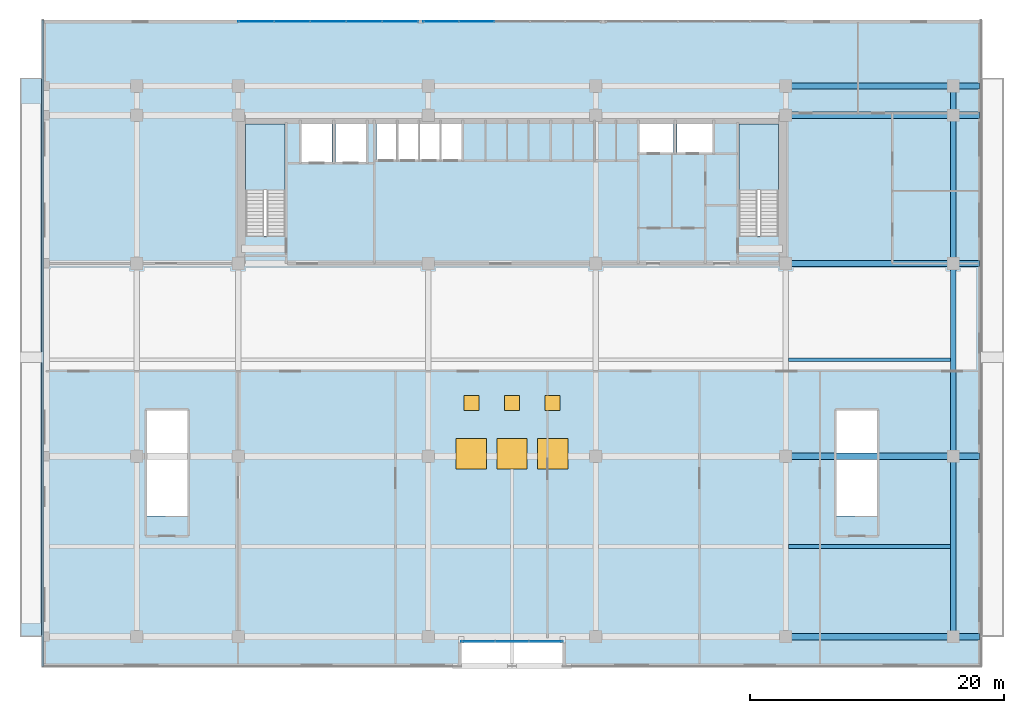
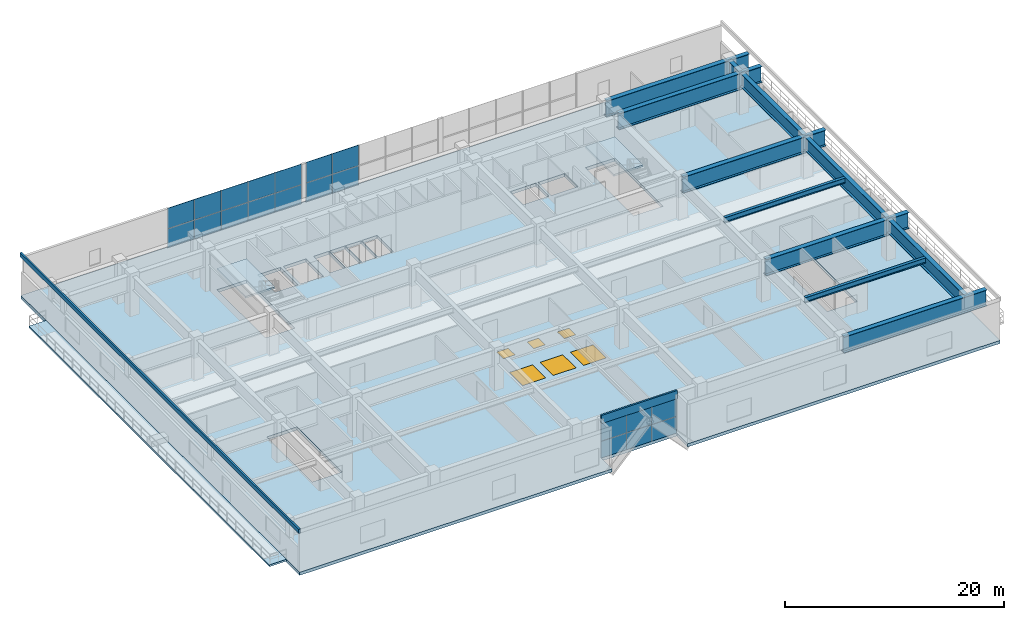
# One storey, part 8 of 17: 22 plates, 11 beams, 6 windows, 4 slabs, 6 openings, 5 elements without a shape of their own.
"""IFC4 building model written with IfcOpenShell, lengths in metres."""

import ifcopenshell
import ifcopenshell.guid

model = None  # the IFC model being written
_history = None  # IfcOwnerHistory: only IFC2X3 demands one
_inside = {}  # id of a spatial element -> (the spatial element, [elements in it])
_under = {}  # id of a project, library or spatial element -> (it, [spatial elements below it])
_declared = {}  # id of a project -> (the project, [libraries it declares])
_typed = {}  # id of a type object -> (the type object, [elements of that type])
_made_of = {}  # id of a material, layer set ... -> (it, [elements and type objects made of it])


def new_model(schema):
    """Start an empty IFC model of exactly this schema.

    Asked for "IFC4X3", IfcOpenShell would pick the latest addendum, in which some entities
    have other attributes; the version numbers below select the first issue.
    IFC2X3 requires an IfcOwnerHistory on every rooted entity: one is made here for all.
    """
    global model, _history
    if schema == "IFC4X3":
        model = ifcopenshell.file(schema_version=(4, 3, 0, 0))
    else:
        model = ifcopenshell.file(schema=schema)
    _inside.clear()
    _under.clear()
    _declared.clear()
    _typed.clear()
    _made_of.clear()
    _history = None
    if model.schema == "IFC2X3":
        org = make("IfcOrganization", Name="unknown")
        user = make(
            "IfcPersonAndOrganization",
            ThePerson=make("IfcPerson", FamilyName="unknown"),
            TheOrganization=org,
        )
        app = make(
            "IfcApplication",
            ApplicationDeveloper=org,
            Version="unknown",
            ApplicationFullName="unknown",
            ApplicationIdentifier="unknown",
        )
        _history = make(
            "IfcOwnerHistory",
            OwningUser=user,
            OwningApplication=app,
            ChangeAction="ADDED",
            CreationDate=0,
        )
    return model


def make(cls, **values):
    """One entity of the class cls with the attributes given. An attribute that is None is left unset."""
    return model.create_entity(
        cls, **{name: value for name, value in values.items() if value is not None}
    )


def rooted(cls, **values):
    """An entity with a GlobalId (a new one), such as an element, a storey or a relation."""
    return make(cls, GlobalId=ifcopenshell.guid.new(), OwnerHistory=_history, **values)


def si_unit(unit_type, name, prefix=None):
    """IfcSIUnit, for example si_unit("LENGTHUNIT", "METRE", prefix="MILLI")."""
    return make("IfcSIUnit", UnitType=unit_type, Prefix=prefix, Name=name)


def assignment(units):
    """IfcUnitAssignment: the units of a project."""
    return None if units is None else make("IfcUnitAssignment", Units=units)


def point(xyz):
    """IfcCartesianPoint."""
    return None if xyz is None else make("IfcCartesianPoint", Coordinates=xyz)


def direction(xyz):
    """IfcDirection."""
    return None if xyz is None else make("IfcDirection", DirectionRatios=xyz)


def frame(location, z_axis=None, x_axis=None):
    """IfcAxis2Placement3D, a coordinate frame: its origin and axes. An axis left out is left unset."""
    return make(
        "IfcAxis2Placement3D",
        Location=point(location),
        Axis=direction(z_axis),
        RefDirection=direction(x_axis),
    )


def frame_2d(location, x_axis=None):
    """IfcAxis2Placement2D, a coordinate frame in the plane: its origin and x axis."""
    return make(
        "IfcAxis2Placement2D", Location=point(location), RefDirection=direction(x_axis)
    )


def origin():
    """The frame at (0, 0, 0) with its axes left unset."""
    return frame((0.0, 0.0, 0.0))


def origin_2d():
    """The frame at (0, 0) in the plane with its x axis left unset."""
    return frame_2d((0.0, 0.0))


def place(relative_to, where):
    """IfcLocalPlacement: puts the frame where relative to a parent placement (None: the world)."""
    return make(
        "IfcLocalPlacement", PlacementRelTo=relative_to, RelativePlacement=where
    )


def context(
    kind, dimensions, precision=None, world=None, true_north=None, identifier=None
):
    """IfcGeometricRepresentationContext, for example the 3D "Model" context."""
    return make(
        "IfcGeometricRepresentationContext",
        ContextIdentifier=identifier,
        ContextType=kind,
        CoordinateSpaceDimension=dimensions,
        Precision=precision,
        WorldCoordinateSystem=world,
        TrueNorth=true_north,
    )


def subcontext(parent, identifier, kind, view, scale=None):
    """IfcGeometricRepresentationSubContext, for example "Body" below "Model"."""
    return make(
        "IfcGeometricRepresentationSubContext",
        ContextIdentifier=identifier,
        ContextType=kind,
        ParentContext=parent,
        TargetScale=scale,
        TargetView=view,
    )


def project(units=None, contexts=None):
    """IfcProject with its units and contexts."""
    return rooted(
        "IfcProject",
        Name="project",
        RepresentationContexts=contexts,
        UnitsInContext=assignment(units),
    )


def spatial(cls, under=None, at=None, **own):
    """A site, building, storey or space (cls), placed at a placement, below another one or the project."""
    s = rooted(cls, ObjectPlacement=at, **own)
    if under is not None:
        _under.setdefault(under.id(), (under, []))[1].append(s)
    return s


def polyline(points):
    """IfcPolyline through the points."""
    return make("IfcPolyline", Points=[point(p) for p in points])


def profile(cls, at=None, kind="AREA", **sizes):
    """A parametric profile (cls). Its sizes go by their IFC names, for example OverallWidth=200.0."""
    return make(cls, ProfileType=kind, Position=at, **sizes)


def rectangle(**sizes):
    """IfcRectangleProfileDef."""
    return profile("IfcRectangleProfileDef", **sizes)


def i_section(**sizes):
    """IfcIShapeProfileDef."""
    return profile("IfcIShapeProfileDef", **sizes)


def outline(outer, holes=None, kind="AREA"):
    """IfcArbitraryClosedProfileDef: a profile drawn as a closed curve; with holes, ...WithVoids."""
    if holes is None:
        return make("IfcArbitraryClosedProfileDef", ProfileType=kind, OuterCurve=outer)
    return make(
        "IfcArbitraryProfileDefWithVoids",
        ProfileType=kind,
        OuterCurve=outer,
        InnerCurves=holes,
    )


def extrude(swept, where, along, depth):
    """IfcExtrudedAreaSolid: the profile swept, set in the frame where, extruded along a direction by depth."""
    return make(
        "IfcExtrudedAreaSolid",
        SweptArea=swept,
        Position=where,
        ExtrudedDirection=direction(along),
        Depth=depth,
    )


def shape(context_of_items, identifier, shape_type, items):
    """IfcShapeRepresentation: the items that make up one representation, for example the "Body"."""
    return make(
        "IfcShapeRepresentation",
        ContextOfItems=context_of_items,
        RepresentationIdentifier=identifier,
        RepresentationType=shape_type,
        Items=items,
    )


def source(mapping_origin, context_of_items, identifier, shape_type, items):
    """IfcRepresentationMap: a shape defined once, which mapped items show again and again."""
    return make(
        "IfcRepresentationMap",
        MappingOrigin=mapping_origin,
        MappedRepresentation=shape(context_of_items, identifier, shape_type, items),
    )


def transform(
    local_origin,
    x_axis=None,
    y_axis=None,
    z_axis=None,
    scale=None,
    scale2=None,
    scale3=None,
    uniform=True,
):
    """IfcCartesianTransformationOperator3D, or its non-uniform kind. x_axis, y_axis, z_axis: its Axis1, 2, 3."""
    if uniform:
        return make(
            "IfcCartesianTransformationOperator3D",
            Axis1=direction(x_axis),
            Axis2=direction(y_axis),
            LocalOrigin=point(local_origin),
            Scale=scale,
            Axis3=direction(z_axis),
        )
    return make(
        "IfcCartesianTransformationOperator3DnonUniform",
        Axis1=direction(x_axis),
        Axis2=direction(y_axis),
        LocalOrigin=point(local_origin),
        Scale=scale,
        Axis3=direction(z_axis),
        Scale2=scale2,
        Scale3=scale3,
    )


def mapped(mapping_source, mapping_target):
    """IfcMappedItem: shows the shape of a source again, moved by a transform."""
    return make(
        "IfcMappedItem", MappingSource=mapping_source, MappingTarget=mapping_target
    )


def material(Name=None, Category=None):
    """IfcMaterial."""
    return make("IfcMaterial", Name=Name, Category=Category)


def layer(
    of_material, thickness, ventilated=None, Name=None, Category=None, Priority=None
):
    """IfcMaterialLayer: one layer of a wall or slab, of a material (None: an air gap)."""
    return make(
        "IfcMaterialLayer",
        Material=of_material,
        LayerThickness=thickness,
        IsVentilated=ventilated,
        Name=Name,
        Category=Category,
        Priority=Priority,
    )


def layer_set(layers, Name=None):
    """IfcMaterialLayerSet."""
    return make("IfcMaterialLayerSet", MaterialLayers=layers, LayerSetName=Name)


def material_profile(
    of_material, cross_section, Name=None, Category=None, Priority=None
):
    """IfcMaterialProfile: a cross section and its material."""
    return make(
        "IfcMaterialProfile",
        Name=Name,
        Material=of_material,
        Profile=cross_section,
        Priority=Priority,
        Category=Category,
    )


def profile_set(profiles, Name=None, composite=None):
    """IfcMaterialProfileSet."""
    return make(
        "IfcMaterialProfileSet",
        Name=Name,
        MaterialProfiles=profiles,
        CompositeProfile=composite,
    )


def made_of(thing, what):
    """Note that an element or type object is made of a material, layer set ...; save() writes the relation."""
    if what is not None:
        _made_of.setdefault(what.id(), (what, []))[1].append(thing)
    return thing


def type_object(cls, material=None, **own):
    """A type object (cls), such as IfcWallType, which elements share."""
    return made_of(rooted(cls, **own), material)


def element(
    cls,
    number,
    at=None,
    inside=None,
    cuts=None,
    type_object=None,
    material=None,
    context=None,
    identifier="Body",
    shape_type=None,
    held_by="IfcProductDefinitionShape",
    body=None,
    shapes=None,
    **own,
):
    """One element of the class cls, such as IfcWall. Its Tag is "e" and its number.

    at: its placement. inside: the storey or other place that contains it. cuts: it is an
    opening in that element (IfcRelVoidsElement). A single representation is given by context,
    identifier, shape_type and body (its items); several are given by shapes. held_by: the class
    of the entity that holds the representations. save() writes the other relations.
    """
    e = rooted(cls, Tag="e%d" % number, ObjectPlacement=at, **own)
    if body is not None:
        shapes = [shape(context, identifier, shape_type, body)]
    if shapes is not None:
        e.Representation = make(held_by, Representations=shapes)
    if inside is not None:
        _inside.setdefault(inside.id(), (inside, []))[1].append(e)
    if cuts is not None:
        rooted(
            "IfcRelVoidsElement", RelatingBuildingElement=cuts, RelatedOpeningElement=e
        )
    if type_object is not None:
        _typed.setdefault(type_object.id(), (type_object, []))[1].append(e)
    return made_of(e, material)


def fill(opening, filler):
    """IfcRelFillsElement: the door or window that sits in an opening."""
    return rooted(
        "IfcRelFillsElement",
        RelatingOpeningElement=opening,
        RelatedBuildingElement=filler,
    )


def aggregate(whole, parts):
    """IfcRelAggregates: a whole, such as a stair, and the parts it consists of."""
    return rooted("IfcRelAggregates", RelatingObject=whole, RelatedObjects=parts)


def save(model, path):
    """Write the relations noted so far, then the file.

    IfcRelAggregates (storeys below a building ...), IfcRelContainedInSpatialStructure (elements
    in a storey), IfcRelDefinesByType, IfcRelAssociatesMaterial and IfcRelDeclares: one each for
    every whole, place, type object, material and project.
    """
    for whole, parts in _under.values():
        aggregate(whole, parts)
    for where, things in _inside.values():
        rooted(
            "IfcRelContainedInSpatialStructure",
            RelatedElements=things,
            RelatingStructure=where,
        )
    for kind, things in _typed.values():
        rooted("IfcRelDefinesByType", RelatedObjects=things, RelatingType=kind)
    for what, things in _made_of.values():
        rooted("IfcRelAssociatesMaterial", RelatedObjects=things, RelatingMaterial=what)
    for by, libraries in _declared.values():
        rooted("IfcRelDeclares", RelatingContext=by, RelatedDefinitions=libraries)
    model.write(path)


model = new_model("IFC4")

# Units and contexts
model_context = context("Model", 3, precision=1e-05, world=origin(), true_north=direction((0.0, 1.0)))
body_context = subcontext(model_context, "Body", "Model", "MODEL_VIEW")
ifc_project = project(units=[si_unit("LENGTHUNIT", "METRE"), si_unit("AREAUNIT", "SQUARE_METRE"), si_unit("VOLUMEUNIT", "CUBIC_METRE"), si_unit("PLANEANGLEUNIT", "RADIAN"), si_unit("MASSUNIT", "GRAM", prefix="KILO")], contexts=[model_context])

# Site, building, storey
site_placement = place(None, origin())
site = spatial("IfcSite", under=ifc_project, at=site_placement, CompositionType="ELEMENT")
building_placement = place(site_placement, origin())
building = spatial("IfcBuilding", under=site, at=building_placement, Name="Trelvane Seafront Commons", CompositionType="ELEMENT")
storey_placement = place(building_placement, frame((0.0, 0.0, 18.699951171875)))
storey = spatial("IfcBuildingStorey", under=building, at=storey_placement, Name="L04", CompositionType="ELEMENT", Elevation=18.699951171875)

# Beams
ifc_material_1 = material(Name="Steel SM355 (S355)", Category="steel")
ifc_material_profile_1 = material_profile(ifc_material_1, i_section(OverallWidth=0.5, OverallDepth=1.800048828125, WebThickness=0.02392578125, FlangeThickness=0.0400390625, at=origin_2d()), Name="W-1800x500x24x40")
ifc_profile_set_1 = profile_set([ifc_material_profile_1], Name="Steel SM355 (S355)")
beam_type_1 = type_object("IfcBeamType", Name="STR-TRG-W1800", PredefinedType="BEAM", material=ifc_profile_set_1)
shared_shape_1 = source(origin(), body_context, "Body", "SweptSolid", [
    extrude(i_section(OverallWidth=0.5, OverallDepth=1.800048828125, WebThickness=0.02392578125, FlangeThickness=0.0400390625, at=origin_2d()), origin(), (0.0, 0.0, 1.0), 15.10009765625),
])
for number, where, z_axis, x_axis, name in (
    (1, (58.949951171875, 3.949951171875, 3.52001953125), (1.0, 0.0, 0.0), (0.0, 1.0, 0.0), "L04 Transfer Girder TG-06"),
    (2, (58.949951171875, 18.199951171875, 3.52001953125), (1.0, 0.0, 0.0), (0.0, 1.0, 0.0), "L04 Transfer Girder TG-12"),
    (3, (58.949951171875, 33.39990234375, 3.52001953125), (1.0, 0.0, 0.0), (0.0, 1.0, 0.0), "L04 Transfer Girder TG-18"),
    (4, (58.949951171875, 45.10009765625, 3.52001953125), (1.0, 0.0, 0.0), (0.0, 1.0, 0.0), "L04 Transfer Girder TG-24"),
    (5, (58.949951171875, 47.39990234375, 3.52001953125), (1.0, 0.0, 0.0), (0.0, 1.0, 0.0), "L04 Transfer Girder TG-30"),
):
    element("IfcBeam", number, at=place(storey_placement, frame(where, z_axis=z_axis, x_axis=x_axis)), inside=storey, type_object=beam_type_1, Name=name, PredefinedType="BEAM", context=body_context, shape_type="MappedRepresentation", body=[
        mapped(shared_shape_1, transform((0.0, 0.0, 0.0), x_axis=(1.0, 0.0, 0.0), y_axis=(0.0, 1.0, 0.0), z_axis=(0.0, 0.0, 1.0), scale=1.0)),
    ])
ifc_material_profile_2 = material_profile(ifc_material_1, i_section(OverallWidth=0.449951171875, OverallDepth=1.5, WebThickness=0.02197265625, FlangeThickness=0.0380859375, at=origin_2d()), Name="W-1500x450x22x38")
ifc_profile_set_2 = profile_set([ifc_material_profile_2], Name="Steel SM355 (S355)")
beam_type_2 = type_object("IfcBeamType", Name="STR-TRG-W1500", PredefinedType="BEAM", material=ifc_profile_set_2)
shared_shape_2 = source(origin(), body_context, "Body", "SweptSolid", [
    extrude(i_section(OverallWidth=0.449951171875, OverallDepth=1.5, WebThickness=0.02197265625, FlangeThickness=0.0380859375, at=origin_2d()), origin(), (0.0, 0.0, 1.0), 13.949951171875),
])
beam_1_placement = place(storey_placement, frame((72.0, 4.10009765625, 3.670166015625), z_axis=(0.0, 1.0, 0.0), x_axis=(-1.0, 0.0, 0.0)))
element("IfcBeam", 6, at=beam_1_placement, inside=storey, type_object=beam_type_2, Name="L04 Transfer Girder TG-55", PredefinedType="BEAM", context=body_context, shape_type="MappedRepresentation", body=[
    mapped(shared_shape_2, transform((0.0, 0.0, 0.0), x_axis=(1.0, 0.0, 0.0), y_axis=(0.0, 1.0, 0.0), z_axis=(0.0, 0.0, 1.0), scale=1.0)),
])
shared_shape_3 = source(origin(), body_context, "Body", "SweptSolid", [
    extrude(i_section(OverallWidth=0.449951171875, OverallDepth=1.5, WebThickness=0.02197265625, FlangeThickness=0.0380859375, at=origin_2d()), origin(), (0.0, 0.0, 1.0), 14.89990234375),
])
beam_2_placement = place(storey_placement, frame((72.0, 18.35009765625, 3.670166015625), z_axis=(0.0, 1.0, 0.0), x_axis=(-1.0, 0.0, 0.0)))
element("IfcBeam", 7, at=beam_2_placement, inside=storey, type_object=beam_type_2, Name="L04 Transfer Girder TG-56", PredefinedType="BEAM", context=body_context, shape_type="MappedRepresentation", body=[
    mapped(shared_shape_3, transform((0.0, 0.0, 0.0), x_axis=(1.0, 0.0, 0.0), y_axis=(0.0, 1.0, 0.0), z_axis=(0.0, 0.0, 1.0), scale=1.0)),
])
shared_shape_4 = source(origin(), body_context, "Body", "SweptSolid", [
    extrude(i_section(OverallWidth=0.449951171875, OverallDepth=1.5, WebThickness=0.02197265625, FlangeThickness=0.0380859375, at=origin_2d()), origin(), (0.0, 0.0, 1.0), 11.39990234375),
])
beam_3_placement = place(storey_placement, frame((72.0, 33.550048828125, 3.670166015625), z_axis=(0.0, 1.0, 0.0), x_axis=(-1.0, 0.0, 0.0)))
element("IfcBeam", 8, at=beam_3_placement, inside=storey, type_object=beam_type_2, Name="L04 Transfer Girder TG-57", PredefinedType="BEAM", context=body_context, shape_type="MappedRepresentation", body=[
    mapped(shared_shape_4, transform((0.0, 0.0, 0.0), x_axis=(1.0, 0.0, 0.0), y_axis=(0.0, 1.0, 0.0), z_axis=(0.0, 0.0, 1.0), scale=1.0)),
])
shared_shape_5 = source(origin(), body_context, "Body", "SweptSolid", [
    extrude(i_section(OverallWidth=0.449951171875, OverallDepth=1.5, WebThickness=0.02197265625, FlangeThickness=0.0380859375, at=origin_2d()), origin(), (0.0, 0.0, 1.0), 2.0),
])
beam_4_placement = place(storey_placement, frame((72.0, 45.25, 3.670166015625), z_axis=(0.0, 1.0, 0.0), x_axis=(-1.0, 0.0, 0.0)))
element("IfcBeam", 9, at=beam_4_placement, inside=storey, type_object=beam_type_2, Name="L04 Transfer Girder TG-58", PredefinedType="BEAM", context=body_context, shape_type="MappedRepresentation", body=[
    mapped(shared_shape_5, transform((0.0, 0.0, 0.0), x_axis=(1.0, 0.0, 0.0), y_axis=(0.0, 1.0, 0.0), z_axis=(0.0, 0.0, 1.0), scale=1.0)),
])
ifc_material_profile_3 = material_profile(ifc_material_1, i_section(OverallWidth=0.300048828125, OverallDepth=0.587890625, WebThickness=0.011962890625, FlangeThickness=0.02001953125, at=origin_2d()), Name="H-588x300x12x20")
ifc_profile_set_3 = profile_set([ifc_material_profile_3], Name="Steel SM355 (S355)")
beam_type_3 = type_object("IfcBeamType", Name="STR-BM-H588", PredefinedType="BEAM", material=ifc_profile_set_3)
shared_shape_6 = source(origin(), body_context, "Body", "SweptSolid", [
    extrude(i_section(OverallWidth=0.300048828125, OverallDepth=0.587890625, WebThickness=0.011962890625, FlangeThickness=0.02001953125, at=origin_2d()), origin(), (0.0, 0.0, 1.0), 12.75),
])
for number, where, z_axis, x_axis, name in (
    (10, (59.02490234375, 11.074951171875, 4.1259765625), (1.0, 0.0, 0.0), (0.0, 1.0, 0.0), "L04 Secondary Floor Joist B-64"),
    (11, (59.02490234375, 25.800048828125, 4.1259765625), (1.0, 0.0, 0.0), (0.0, 1.0, 0.0), "L04 Secondary Floor Joist B-70"),
):
    element("IfcBeam", number, at=place(storey_placement, frame(where, z_axis=z_axis, x_axis=x_axis)), inside=storey, type_object=beam_type_3, Name=name, PredefinedType="BEAM", context=body_context, shape_type="MappedRepresentation", body=[
        mapped(shared_shape_6, transform((0.0, 0.0, 0.0), x_axis=(1.0, 0.0, 0.0), y_axis=(0.0, 1.0, 0.0), z_axis=(0.0, 0.0, 1.0), scale=1.0)),
    ])

# Stair, slab
ifc_material_2 = material(Name="Concrete C40/50", Category="concrete")
stair_type_1 = type_object("IfcStairType", Name="ARCH-STR-ST-1-R28-171", PredefinedType="HALF_TURN_STAIR", material=ifc_material_2)
stair_1_placement = place(storey_placement, origin())
stair_1 = element("IfcStair", 12, at=stair_1_placement, inside=storey, type_object=stair_type_1, Name="L04 West Protected Firefighting Exit Stair ST-1", PredefinedType="HALF_TURN_STAIR")
ifc_layer_1 = layer(ifc_material_2, 0.199951171875, Name="ARCH-LND-200")
ifc_layer_set_1 = layer_set([ifc_layer_1], Name="Concrete C40/50")
slab_type_1 = type_object("IfcSlabType", Name="ARCH-LND-200", PredefinedType="LANDING", material=ifc_layer_set_1)
slab_1_placement = place(storey_placement, frame((0.0, 0.0, 2.199951171875)))
slab_1 = element("IfcSlab", 13, at=slab_1_placement, type_object=slab_type_1, Name="ST-1 landing 1", PredefinedType="LANDING", context=body_context, shape_type="SweptSolid", body=[
    extrude(outline(polyline([(19.300048828125, 39.18994140625), (19.300048828125, 44.39990234375), (16.199951171875, 44.39990234375), (16.199951171875, 39.18994140625), (19.300048828125, 39.18994140625)])), origin(), (0.0, 0.0, 1.0), 0.2001953125),
])
aggregate(stair_1, [slab_1])

stair_type_2 = type_object("IfcStairType", Name="ARCH-STR-ST-2-R28-171", PredefinedType="HALF_TURN_STAIR", material=ifc_material_2)
stair_2_placement = place(storey_placement, origin())
stair_2 = element("IfcStair", 14, at=stair_2_placement, inside=storey, type_object=stair_type_2, Name="L04 East Protected Firefighting Exit Stair ST-2", PredefinedType="HALF_TURN_STAIR")
slab_2_placement = place(storey_placement, frame((0.0, 0.0, 2.199951171875)))
slab_2 = element("IfcSlab", 15, at=slab_2_placement, type_object=slab_type_1, Name="ST-2 landing 1", PredefinedType="LANDING", context=body_context, shape_type="SweptSolid", body=[
    extrude(outline(polyline([(58.199951171875, 39.18994140625), (58.199951171875, 44.39990234375), (55.10009765625, 44.39990234375), (55.10009765625, 39.18994140625), (58.199951171875, 39.18994140625)])), origin(), (0.0, 0.0, 1.0), 0.2001953125),
])
aggregate(stair_2, [slab_2])

# Slab
ifc_layer_2 = layer(ifc_material_2, 0.2099609375, Name="ARCH-TERR-210")
ifc_layer_set_2 = layer_set([ifc_layer_2], Name="Concrete C40/50")
slab_type_2 = type_object("IfcSlabType", Name="ARCH-TERR-210", PredefinedType="FLOOR", material=ifc_layer_set_2)
slab_3_placement = place(storey_placement, frame((0.0, 0.0, -0.2099609375)))
element("IfcSlab", 16, at=slab_3_placement, inside=storey, type_object=slab_type_2, Name="L04 Podium W Planted Roof Terrace Deck", PredefinedType="FLOOR", context=body_context, shape_type="SweptSolid", body=[
    extrude(outline(polyline([(-1.60009765625, 4.0), (0.199951171875, 4.0), (0.199951171875, 48.0), (-1.60009765625, 48.0), (-1.60009765625, 4.0)])), origin(), (0.0, 0.0, 1.0), 0.2099609375),
])

# Slab, openings, windows
ifc_material_3 = material(Name="Concrete C60/75", Category="concrete")
ifc_layer_3 = layer(ifc_material_3, 0.35009765625, Name="STR-SLB-P350")
ifc_layer_set_3 = layer_set([ifc_layer_3], Name="Concrete C60/75")
slab_type_3 = type_object("IfcSlabType", Name="STR-SLB-P350", PredefinedType="FLOOR", material=ifc_layer_set_3)
slab_4_placement = place(storey_placement, frame((0.0, 0.0, -0.349853515625)))
slab_4 = element("IfcSlab", 17, at=slab_4_placement, inside=storey, type_object=slab_type_3, Name="L04 Structural Floor Slab", PredefinedType="FLOOR", context=body_context, shape_type="SweptSolid", body=[
    extrude(outline(polyline([(0.199951171875, 1.60009765625), (33.199951171875, 1.60009765625), (33.199951171875, 3.60009765625), (41.199951171875, 3.60009765625), (41.199951171875, 1.60009765625), (74.199951171875, 1.60009765625), (74.199951171875, 52.60009765625), (0.199951171875, 52.60009765625), (0.199951171875, 1.60009765625)]), holes=[polyline([(11.60009765625, 13.5), (8.39990234375, 13.5), (8.39990234375, 21.800048828125), (11.60009765625, 21.800048828125), (11.60009765625, 13.5)]), polyline([(16.199951171875, 35.550048828125), (16.199951171875, 44.39990234375), (19.300048828125, 44.39990234375), (19.300048828125, 35.550048828125), (16.199951171875, 35.550048828125)]), polyline([(20.60009765625, 41.39990234375), (20.60009765625, 44.60009765625), (23.0, 44.60009765625), (23.0, 41.39990234375), (20.60009765625, 41.39990234375)]), polyline([(25.699951171875, 41.39990234375), (23.300048828125, 41.39990234375), (23.300048828125, 44.60009765625), (25.699951171875, 44.60009765625), (25.699951171875, 41.39990234375)]), polyline([(26.5, 41.60009765625), (26.5, 44.60009765625), (28.1201171875, 44.60009765625), (28.1201171875, 41.60009765625), (26.5, 41.60009765625)]), polyline([(28.199951171875, 41.60009765625), (28.199951171875, 44.60009765625), (29.820068359375, 44.60009765625), (29.820068359375, 41.60009765625), (28.199951171875, 41.60009765625)]), polyline([(66.0, 13.5), (62.800048828125, 13.5), (62.800048828125, 21.800048828125), (66.0, 21.800048828125), (66.0, 13.5)]), polyline([(55.10009765625, 35.550048828125), (55.10009765625, 44.39990234375), (58.199951171875, 44.39990234375), (58.199951171875, 35.550048828125), (55.10009765625, 35.550048828125)]), polyline([(29.89990234375, 41.60009765625), (29.89990234375, 44.60009765625), (31.52001953125, 44.60009765625), (31.52001953125, 41.60009765625), (29.89990234375, 41.60009765625)]), polyline([(33.219970703125, 41.60009765625), (31.60009765625, 41.60009765625), (31.60009765625, 44.60009765625), (33.219970703125, 44.60009765625), (33.219970703125, 41.60009765625)]), polyline([(47.25, 42.14990234375), (47.25, 44.550048828125), (49.949951171875, 44.550048828125), (49.949951171875, 42.14990234375), (47.25, 42.14990234375)]), polyline([(50.199951171875, 42.14990234375), (50.199951171875, 44.550048828125), (53.0, 44.550048828125), (53.0, 42.14990234375), (50.199951171875, 42.14990234375)])]), origin(), (0.0, 0.0, 1.0), 0.349853515625),
])
opening_1_placement = place(slab_4_placement, frame((34.0, 18.39990234375, 0.0)))
opening_1 = element("IfcOpeningElement", 18, at=opening_1_placement, cuts=slab_4, Name="Opening SK1", PredefinedType="OPENING", context=body_context, shape_type="SweptSolid", body=[
    extrude(rectangle(XDim=2.39990234375, YDim=2.39990234375, at=origin_2d()), frame((0.0, 0.0, -0.010009765625)), (0.0, 0.0, 1.0), 0.369873046875),
])
opening_2_placement = place(slab_4_placement, frame((37.199951171875, 18.39990234375, 0.0)))
opening_2 = element("IfcOpeningElement", 19, at=opening_2_placement, cuts=slab_4, Name="Opening SK1", PredefinedType="OPENING", context=body_context, shape_type="SweptSolid", body=[
    extrude(rectangle(XDim=2.39990234375, YDim=2.39990234375, at=origin_2d()), frame((0.0, 0.0, -0.010009765625)), (0.0, 0.0, 1.0), 0.369873046875),
])
opening_3_placement = place(slab_4_placement, frame((40.39990234375, 18.39990234375, 0.0)))
opening_3 = element("IfcOpeningElement", 20, at=opening_3_placement, cuts=slab_4, Name="Opening SK1", PredefinedType="OPENING", context=body_context, shape_type="SweptSolid", body=[
    extrude(rectangle(XDim=2.39990234375, YDim=2.39990234375, at=origin_2d()), frame((0.0, 0.0, -0.010009765625)), (0.0, 0.0, 1.0), 0.369873046875),
])
opening_4_placement = place(slab_4_placement, frame((34.0, 22.39990234375, 0.0)))
opening_4 = element("IfcOpeningElement", 21, at=opening_4_placement, cuts=slab_4, Name="Opening SK2", PredefinedType="OPENING", context=body_context, shape_type="SweptSolid", body=[
    extrude(rectangle(XDim=1.199951171875, YDim=1.199951171875, at=origin_2d()), frame((0.0, 0.0, -0.010009765625)), (0.0, 0.0, 1.0), 0.369873046875),
])
opening_5_placement = place(slab_4_placement, frame((37.199951171875, 22.39990234375, 0.0)))
opening_5 = element("IfcOpeningElement", 22, at=opening_5_placement, cuts=slab_4, Name="Opening SK2", PredefinedType="OPENING", context=body_context, shape_type="SweptSolid", body=[
    extrude(rectangle(XDim=1.199951171875, YDim=1.199951171875, at=origin_2d()), frame((0.0, 0.0, -0.010009765625)), (0.0, 0.0, 1.0), 0.369873046875),
])
opening_6_placement = place(slab_4_placement, frame((40.39990234375, 22.39990234375, 0.0)))
opening_6 = element("IfcOpeningElement", 23, at=opening_6_placement, cuts=slab_4, Name="Opening SK2", PredefinedType="OPENING", context=body_context, shape_type="SweptSolid", body=[
    extrude(rectangle(XDim=1.199951171875, YDim=1.199951171875, at=origin_2d()), frame((0.0, 0.0, -0.010009765625)), (0.0, 0.0, 1.0), 0.369873046875),
])
ifc_material_4 = material(Name="Low-E coastal double glazing", Category="glass")
window_type_1 = type_object("IfcWindowType", Name="ARCH-SKY-S01", PartitioningType="SINGLE_PANEL", PredefinedType="SKYLIGHT", material=ifc_material_4)
window_1_placement = place(opening_1_placement, frame((0.0, 0.0, 0.2998046875)))
window_1 = element("IfcWindow", 24, at=window_1_placement, inside=storey, type_object=window_type_1, Name="SKY-ATR-01", OverallHeight=2.39990234375, OverallWidth=2.39990234375, PartitioningType="SINGLE_PANEL", PredefinedType="SKYLIGHT", context=body_context, shape_type="SweptSolid", body=[
    extrude(rectangle(XDim=2.39990234375, YDim=2.39990234375, at=origin_2d()), origin(), (0.0, 0.0, 1.0), 0.050048828125),
])
fill(opening_1, window_1)
window_2_placement = place(opening_2_placement, frame((0.0, 0.0, 0.2998046875)))
window_2 = element("IfcWindow", 25, at=window_2_placement, inside=storey, type_object=window_type_1, Name="SKY-ATR-02", OverallHeight=2.39990234375, OverallWidth=2.39990234375, PartitioningType="SINGLE_PANEL", PredefinedType="SKYLIGHT", context=body_context, shape_type="SweptSolid", body=[
    extrude(rectangle(XDim=2.39990234375, YDim=2.39990234375, at=origin_2d()), origin(), (0.0, 0.0, 1.0), 0.050048828125),
])
fill(opening_2, window_2)
window_3_placement = place(opening_3_placement, frame((0.0, 0.0, 0.2998046875)))
window_3 = element("IfcWindow", 26, at=window_3_placement, inside=storey, type_object=window_type_1, Name="SKY-ATR-03", OverallHeight=2.39990234375, OverallWidth=2.39990234375, PartitioningType="SINGLE_PANEL", PredefinedType="SKYLIGHT", context=body_context, shape_type="SweptSolid", body=[
    extrude(rectangle(XDim=2.39990234375, YDim=2.39990234375, at=origin_2d()), origin(), (0.0, 0.0, 1.0), 0.050048828125),
])
fill(opening_3, window_3)
window_type_2 = type_object("IfcWindowType", Name="ARCH-SKY-S02", PartitioningType="SINGLE_PANEL", PredefinedType="SKYLIGHT", material=ifc_material_4)
window_4_placement = place(opening_4_placement, frame((0.0, 0.0, 0.2998046875)))
window_4 = element("IfcWindow", 27, at=window_4_placement, inside=storey, type_object=window_type_2, Name="SKY-ATR-04", OverallHeight=1.199951171875, OverallWidth=1.199951171875, PartitioningType="SINGLE_PANEL", PredefinedType="SKYLIGHT", context=body_context, shape_type="SweptSolid", body=[
    extrude(rectangle(XDim=1.199951171875, YDim=1.199951171875, at=origin_2d()), origin(), (0.0, 0.0, 1.0), 0.050048828125),
])
fill(opening_4, window_4)
window_5_placement = place(opening_5_placement, frame((0.0, 0.0, 0.2998046875)))
window_5 = element("IfcWindow", 28, at=window_5_placement, inside=storey, type_object=window_type_2, Name="SKY-ATR-05", OverallHeight=1.199951171875, OverallWidth=1.199951171875, PartitioningType="SINGLE_PANEL", PredefinedType="SKYLIGHT", context=body_context, shape_type="SweptSolid", body=[
    extrude(rectangle(XDim=1.199951171875, YDim=1.199951171875, at=origin_2d()), origin(), (0.0, 0.0, 1.0), 0.050048828125),
])
fill(opening_5, window_5)
window_6_placement = place(opening_6_placement, frame((0.0, 0.0, 0.2998046875)))
window_6 = element("IfcWindow", 29, at=window_6_placement, inside=storey, type_object=window_type_2, Name="SKY-ATR-06", OverallHeight=1.199951171875, OverallWidth=1.199951171875, PartitioningType="SINGLE_PANEL", PredefinedType="SKYLIGHT", context=body_context, shape_type="SweptSolid", body=[
    extrude(rectangle(XDim=1.199951171875, YDim=1.199951171875, at=origin_2d()), origin(), (0.0, 0.0, 1.0), 0.050048828125),
])
fill(opening_6, window_6)

# Curtain wall, plates
ifc_material_5 = material(Name="Anodised pale-silver aluminium", Category="aluminium")
curtain_wall_type = type_object("IfcCurtainWallType", Name="ARCH-CW1-PODIUM", PredefinedType="NOTDEFINED", material=ifc_material_5)
curtain_wall_1_placement = place(storey_placement, origin())
curtain_wall_1 = element("IfcCurtainWall", 30, at=curtain_wall_1_placement, inside=storey, type_object=curtain_wall_type, Name="CW-L04-0025", PredefinedType="NOTDEFINED")
ifc_layer_4 = layer(ifc_material_4, 0.033935546875, Name="ARCH-CW-GLAZ-34")
ifc_layer_set_4 = layer_set([ifc_layer_4], Name="Low-E coastal double glazing")
plate_type_1 = type_object("IfcPlateType", Name="ARCH-CW-GLAZ-34", PredefinedType="CURTAIN_PANEL", material=ifc_layer_set_4)
shared_shape_7 = source(origin(), body_context, "Body", "SweptSolid", [
    extrude(rectangle(XDim=2.81591796875, YDim=0.035888671875, at=origin_2d()), origin(), (0.0, 0.0, 1.0), 2.10400390625),
])
plate_1_placement = place(storey_placement, frame((17.02001953125, 52.469970703125, 0.0), z_axis=(0.0, 0.0, 1.0), x_axis=(1.0, 0.0, 0.0)))
plate_1 = element("IfcPlate", 31, at=plate_1_placement, type_object=plate_type_1, Name="CW-L04-0025-P00-1", PredefinedType="CURTAIN_PANEL", context=body_context, shape_type="MappedRepresentation", body=[
    mapped(shared_shape_7, transform((0.0, 0.0, 0.0), x_axis=(1.0, 0.0, 0.0), y_axis=(0.0, 1.0, 0.0), z_axis=(0.0, 0.0, 1.0), scale=1.0)),
])
plate_2_placement = place(storey_placement, frame((19.860107421875, 52.469970703125, 0.0), z_axis=(0.0, 0.0, 1.0), x_axis=(1.0, 0.0, 0.0)))
plate_2 = element("IfcPlate", 32, at=plate_2_placement, type_object=plate_type_1, Name="CW-L04-0025-P01-1", PredefinedType="CURTAIN_PANEL", context=body_context, shape_type="MappedRepresentation", body=[
    mapped(shared_shape_7, transform((0.0, 0.0, 0.0), x_axis=(1.0, 0.0, 0.0), y_axis=(0.0, 1.0, 0.0), z_axis=(0.0, 0.0, 1.0), scale=1.0)),
])
plate_3_placement = place(storey_placement, frame((22.699951171875, 52.469970703125, 0.0), z_axis=(0.0, 0.0, 1.0), x_axis=(1.0, 0.0, 0.0)))
plate_3 = element("IfcPlate", 33, at=plate_3_placement, type_object=plate_type_1, Name="CW-L04-0025-P02-1", PredefinedType="CURTAIN_PANEL", context=body_context, shape_type="MappedRepresentation", body=[
    mapped(shared_shape_7, transform((0.0, 0.0, 0.0), x_axis=(1.0, 0.0, 0.0), y_axis=(0.0, 1.0, 0.0), z_axis=(0.0, 0.0, 1.0), scale=1.0)),
])
plate_4_placement = place(storey_placement, frame((25.5400390625, 52.469970703125, 0.0), z_axis=(0.0, 0.0, 1.0), x_axis=(1.0, 0.0, 0.0)))
plate_4 = element("IfcPlate", 34, at=plate_4_placement, type_object=plate_type_1, Name="CW-L04-0025-P03-1", PredefinedType="CURTAIN_PANEL", context=body_context, shape_type="MappedRepresentation", body=[
    mapped(shared_shape_7, transform((0.0, 0.0, 0.0), x_axis=(1.0, 0.0, 0.0), y_axis=(0.0, 1.0, 0.0), z_axis=(0.0, 0.0, 1.0), scale=1.0)),
])
plate_5_placement = place(storey_placement, frame((28.3798828125, 52.469970703125, 0.0), z_axis=(0.0, 0.0, 1.0), x_axis=(1.0, 0.0, 0.0)))
plate_5 = element("IfcPlate", 35, at=plate_5_placement, type_object=plate_type_1, Name="CW-L04-0025-P04-1", PredefinedType="CURTAIN_PANEL", context=body_context, shape_type="MappedRepresentation", body=[
    mapped(shared_shape_7, transform((0.0, 0.0, 0.0), x_axis=(1.0, 0.0, 0.0), y_axis=(0.0, 1.0, 0.0), z_axis=(0.0, 0.0, 1.0), scale=1.0)),
])
shared_shape_8 = source(origin(), body_context, "Body", "SweptSolid", [
    extrude(rectangle(XDim=2.81591796875, YDim=0.035888671875, at=origin_2d()), origin(), (0.0, 0.0, 1.0), 2.280029296875),
])
plate_6_placement = place(storey_placement, frame((17.02001953125, 52.469970703125, 2.14013671875), z_axis=(0.0, 0.0, 1.0), x_axis=(1.0, 0.0, 0.0)))
plate_6 = element("IfcPlate", 36, at=plate_6_placement, type_object=plate_type_1, Name="CW-L04-0025-P00-2", PredefinedType="CURTAIN_PANEL", context=body_context, shape_type="MappedRepresentation", body=[
    mapped(shared_shape_8, transform((0.0, 0.0, 0.0), x_axis=(1.0, 0.0, 0.0), y_axis=(0.0, 1.0, 0.0), z_axis=(0.0, 0.0, 1.0), scale=1.0)),
])
plate_7_placement = place(storey_placement, frame((19.860107421875, 52.469970703125, 2.14013671875), z_axis=(0.0, 0.0, 1.0), x_axis=(1.0, 0.0, 0.0)))
plate_7 = element("IfcPlate", 37, at=plate_7_placement, type_object=plate_type_1, Name="CW-L04-0025-P01-2", PredefinedType="CURTAIN_PANEL", context=body_context, shape_type="MappedRepresentation", body=[
    mapped(shared_shape_8, transform((0.0, 0.0, 0.0), x_axis=(1.0, 0.0, 0.0), y_axis=(0.0, 1.0, 0.0), z_axis=(0.0, 0.0, 1.0), scale=1.0)),
])
plate_8_placement = place(storey_placement, frame((22.699951171875, 52.469970703125, 2.14013671875), z_axis=(0.0, 0.0, 1.0), x_axis=(1.0, 0.0, 0.0)))
plate_8 = element("IfcPlate", 38, at=plate_8_placement, type_object=plate_type_1, Name="CW-L04-0025-P02-2", PredefinedType="CURTAIN_PANEL", context=body_context, shape_type="MappedRepresentation", body=[
    mapped(shared_shape_8, transform((0.0, 0.0, 0.0), x_axis=(1.0, 0.0, 0.0), y_axis=(0.0, 1.0, 0.0), z_axis=(0.0, 0.0, 1.0), scale=1.0)),
])
plate_9_placement = place(storey_placement, frame((25.5400390625, 52.469970703125, 2.14013671875), z_axis=(0.0, 0.0, 1.0), x_axis=(1.0, 0.0, 0.0)))
plate_9 = element("IfcPlate", 39, at=plate_9_placement, type_object=plate_type_1, Name="CW-L04-0025-P03-2", PredefinedType="CURTAIN_PANEL", context=body_context, shape_type="MappedRepresentation", body=[
    mapped(shared_shape_8, transform((0.0, 0.0, 0.0), x_axis=(1.0, 0.0, 0.0), y_axis=(0.0, 1.0, 0.0), z_axis=(0.0, 0.0, 1.0), scale=1.0)),
])
plate_10_placement = place(storey_placement, frame((28.3798828125, 52.469970703125, 2.14013671875), z_axis=(0.0, 0.0, 1.0), x_axis=(1.0, 0.0, 0.0)))
plate_10 = element("IfcPlate", 40, at=plate_10_placement, type_object=plate_type_1, Name="CW-L04-0025-P04-2", PredefinedType="CURTAIN_PANEL", context=body_context, shape_type="MappedRepresentation", body=[
    mapped(shared_shape_8, transform((0.0, 0.0, 0.0), x_axis=(1.0, 0.0, 0.0), y_axis=(0.0, 1.0, 0.0), z_axis=(0.0, 0.0, 1.0), scale=1.0)),
])
aggregate(curtain_wall_1, [plate_1, plate_6, plate_2, plate_7, plate_3, plate_8, plate_4, plate_9, plate_5, plate_10])

curtain_wall_2_placement = place(storey_placement, origin())
curtain_wall_2 = element("IfcCurtainWall", 41, at=curtain_wall_2_placement, inside=storey, type_object=curtain_wall_type, Name="CW-L04-0026", PredefinedType="NOTDEFINED")
shared_shape_9 = source(origin(), body_context, "Body", "SweptSolid", [
    extrude(rectangle(XDim=2.77587890625, YDim=0.035888671875, at=origin_2d()), origin(), (0.0, 0.0, 1.0), 2.10400390625),
])
plate_11_placement = place(storey_placement, frame((31.60009765625, 52.469970703125, 0.0), z_axis=(0.0, 0.0, 1.0), x_axis=(1.0, 0.0, 0.0)))
plate_11 = element("IfcPlate", 42, at=plate_11_placement, type_object=plate_type_1, Name="CW-L04-0026-P00-1", PredefinedType="CURTAIN_PANEL", context=body_context, shape_type="MappedRepresentation", body=[
    mapped(shared_shape_9, transform((0.0, 0.0, 0.0), x_axis=(1.0, 0.0, 0.0), y_axis=(0.0, 1.0, 0.0), z_axis=(0.0, 0.0, 1.0), scale=1.0)),
])
plate_12_placement = place(storey_placement, frame((34.39990234375, 52.469970703125, 0.0), z_axis=(0.0, 0.0, 1.0), x_axis=(1.0, 0.0, 0.0)))
plate_12 = element("IfcPlate", 43, at=plate_12_placement, type_object=plate_type_1, Name="CW-L04-0026-P01-1", PredefinedType="CURTAIN_PANEL", context=body_context, shape_type="MappedRepresentation", body=[
    mapped(shared_shape_9, transform((0.0, 0.0, 0.0), x_axis=(1.0, 0.0, 0.0), y_axis=(0.0, 1.0, 0.0), z_axis=(0.0, 0.0, 1.0), scale=1.0)),
])
shared_shape_10 = source(origin(), body_context, "Body", "SweptSolid", [
    extrude(rectangle(XDim=2.77587890625, YDim=0.035888671875, at=origin_2d()), origin(), (0.0, 0.0, 1.0), 2.280029296875),
])
plate_13_placement = place(storey_placement, frame((31.60009765625, 52.469970703125, 2.14013671875), z_axis=(0.0, 0.0, 1.0), x_axis=(1.0, 0.0, 0.0)))
plate_13 = element("IfcPlate", 44, at=plate_13_placement, type_object=plate_type_1, Name="CW-L04-0026-P00-2", PredefinedType="CURTAIN_PANEL", context=body_context, shape_type="MappedRepresentation", body=[
    mapped(shared_shape_10, transform((0.0, 0.0, 0.0), x_axis=(1.0, 0.0, 0.0), y_axis=(0.0, 1.0, 0.0), z_axis=(0.0, 0.0, 1.0), scale=1.0)),
])
plate_14_placement = place(storey_placement, frame((34.39990234375, 52.469970703125, 2.14013671875), z_axis=(0.0, 0.0, 1.0), x_axis=(1.0, 0.0, 0.0)))
plate_14 = element("IfcPlate", 45, at=plate_14_placement, type_object=plate_type_1, Name="CW-L04-0026-P01-2", PredefinedType="CURTAIN_PANEL", context=body_context, shape_type="MappedRepresentation", body=[
    mapped(shared_shape_10, transform((0.0, 0.0, 0.0), x_axis=(1.0, 0.0, 0.0), y_axis=(0.0, 1.0, 0.0), z_axis=(0.0, 0.0, 1.0), scale=1.0)),
])
aggregate(curtain_wall_2, [plate_11, plate_13, plate_12, plate_14])

# Plate
ifc_layer_5 = layer(ifc_material_5, 0.179931640625, Name="ARCH-PLATE-AERO")
ifc_layer_set_5 = layer_set([ifc_layer_5], Name="Anodised pale-silver aluminium")
plate_type_2 = type_object("IfcPlateType", Name="ARCH-PLATE-AERO", PredefinedType="SHEET", material=ifc_layer_set_5)
shared_shape_11 = source(origin(), body_context, "Body", "SweptSolid", [
    extrude(rectangle(XDim=51.0, YDim=0.179931640625, at=origin_2d()), origin(), (0.0, 0.0, 1.0), 0.4599609375),
])
plate_15_placement = place(storey_placement, frame((0.199951171875, 27.10009765625, 4.360107421875), z_axis=(0.0, 0.0, 1.0), x_axis=(0.0, 1.0, 0.0)))
element("IfcPlate", 46, at=plate_15_placement, inside=storey, type_object=plate_type_2, Name="AER-L04-00015", PredefinedType="SHEET", context=body_context, shape_type="MappedRepresentation", body=[
    mapped(shared_shape_11, transform((0.0, 0.0, 0.0), x_axis=(1.0, 0.0, 0.0), y_axis=(0.0, 1.0, 0.0), z_axis=(0.0, 0.0, 1.0), scale=1.0)),
])

# Curtain wall, plates
curtain_wall_3_placement = place(storey_placement, origin())
curtain_wall_3 = element("IfcCurtainWall", 47, at=curtain_wall_3_placement, inside=storey, type_object=curtain_wall_type, Name="CW-L04-VP-0028", PredefinedType="NOTDEFINED")
shared_shape_12 = source(origin(), body_context, "Body", "SweptSolid", [
    extrude(rectangle(XDim=2.642578125, YDim=0.035888671875, at=origin_2d()), origin(), (0.0, 0.0, 1.0), 1.85400390625),
])
plate_16_placement = place(storey_placement, frame((39.86669921875, 3.60009765625, 0.0), z_axis=(0.0, 0.0, 1.0), x_axis=(-1.0, 0.0, 0.0)))
plate_16 = element("IfcPlate", 48, at=plate_16_placement, type_object=plate_type_1, Name="CW-L04-VP-0028-P00-1", PredefinedType="CURTAIN_PANEL", context=body_context, shape_type="MappedRepresentation", body=[
    mapped(shared_shape_12, transform((0.0, 0.0, 0.0), x_axis=(1.0, 0.0, 0.0), y_axis=(0.0, 1.0, 0.0), z_axis=(0.0, 0.0, 1.0), scale=1.0)),
])
plate_17_placement = place(storey_placement, frame((37.199951171875, 3.60009765625, 0.0), z_axis=(0.0, 0.0, 1.0), x_axis=(-1.0, 0.0, 0.0)))
plate_17 = element("IfcPlate", 49, at=plate_17_placement, type_object=plate_type_1, Name="CW-L04-VP-0028-P01-1", PredefinedType="CURTAIN_PANEL", context=body_context, shape_type="MappedRepresentation", body=[
    mapped(shared_shape_12, transform((0.0, 0.0, 0.0), x_axis=(1.0, 0.0, 0.0), y_axis=(0.0, 1.0, 0.0), z_axis=(0.0, 0.0, 1.0), scale=1.0)),
])
plate_18_placement = place(storey_placement, frame((34.533203125, 3.60009765625, 0.0), z_axis=(0.0, 0.0, 1.0), x_axis=(-1.0, 0.0, 0.0)))
plate_18 = element("IfcPlate", 50, at=plate_18_placement, type_object=plate_type_1, Name="CW-L04-VP-0028-P02-1", PredefinedType="CURTAIN_PANEL", context=body_context, shape_type="MappedRepresentation", body=[
    mapped(shared_shape_12, transform((0.0, 0.0, 0.0), x_axis=(1.0, 0.0, 0.0), y_axis=(0.0, 1.0, 0.0), z_axis=(0.0, 0.0, 1.0), scale=1.0)),
])
shared_shape_13 = source(origin(), body_context, "Body", "SweptSolid", [
    extrude(rectangle(XDim=2.642578125, YDim=0.035888671875, at=origin_2d()), origin(), (0.0, 0.0, 1.0), 2.010009765625),
])
plate_19_placement = place(storey_placement, frame((39.86669921875, 3.60009765625, 1.89013671875), z_axis=(0.0, 0.0, 1.0), x_axis=(-1.0, 0.0, 0.0)))
plate_19 = element("IfcPlate", 51, at=plate_19_placement, type_object=plate_type_1, Name="CW-L04-VP-0028-P00-2", PredefinedType="CURTAIN_PANEL", context=body_context, shape_type="MappedRepresentation", body=[
    mapped(shared_shape_13, transform((0.0, 0.0, 0.0), x_axis=(1.0, 0.0, 0.0), y_axis=(0.0, 1.0, 0.0), z_axis=(0.0, 0.0, 1.0), scale=1.0)),
])
plate_20_placement = place(storey_placement, frame((37.199951171875, 3.60009765625, 1.89013671875), z_axis=(0.0, 0.0, 1.0), x_axis=(-1.0, 0.0, 0.0)))
plate_20 = element("IfcPlate", 52, at=plate_20_placement, type_object=plate_type_1, Name="CW-L04-VP-0028-P01-2", PredefinedType="CURTAIN_PANEL", context=body_context, shape_type="MappedRepresentation", body=[
    mapped(shared_shape_13, transform((0.0, 0.0, 0.0), x_axis=(1.0, 0.0, 0.0), y_axis=(0.0, 1.0, 0.0), z_axis=(0.0, 0.0, 1.0), scale=1.0)),
])
plate_21_placement = place(storey_placement, frame((34.533203125, 3.60009765625, 1.89013671875), z_axis=(0.0, 0.0, 1.0), x_axis=(-1.0, 0.0, 0.0)))
plate_21 = element("IfcPlate", 53, at=plate_21_placement, type_object=plate_type_1, Name="CW-L04-VP-0028-P02-2", PredefinedType="CURTAIN_PANEL", context=body_context, shape_type="MappedRepresentation", body=[
    mapped(shared_shape_13, transform((0.0, 0.0, 0.0), x_axis=(1.0, 0.0, 0.0), y_axis=(0.0, 1.0, 0.0), z_axis=(0.0, 0.0, 1.0), scale=1.0)),
])
aggregate(curtain_wall_3, [plate_16, plate_19, plate_17, plate_20, plate_18, plate_21])

# Plate
shared_shape_14 = source(origin(), body_context, "Body", "SweptSolid", [
    extrude(rectangle(XDim=8.0, YDim=0.179931640625, at=origin_2d()), origin(), (0.0, 0.0, 1.0), 0.919921875),
])
plate_22_placement = place(storey_placement, frame((37.199951171875, 3.60009765625, 3.880126953125), z_axis=(0.0, 0.0, 1.0), x_axis=(-1.0, 0.0, 0.0)))
element("IfcPlate", 54, at=plate_22_placement, inside=storey, type_object=plate_type_2, Name="AER-L04-VP-00014", PredefinedType="SHEET", context=body_context, shape_type="MappedRepresentation", body=[
    mapped(shared_shape_14, transform((0.0, 0.0, 0.0), x_axis=(1.0, 0.0, 0.0), y_axis=(0.0, 1.0, 0.0), z_axis=(0.0, 0.0, 1.0), scale=1.0)),
])

save(model, "model.ifc")
